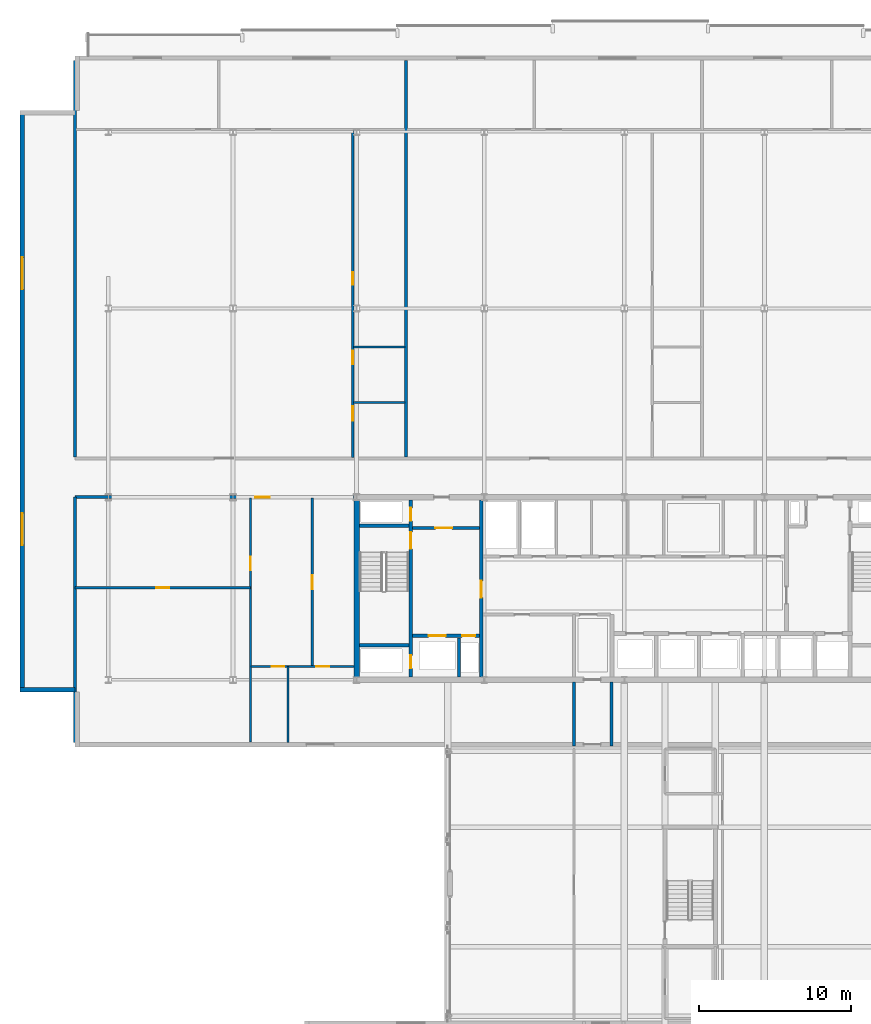
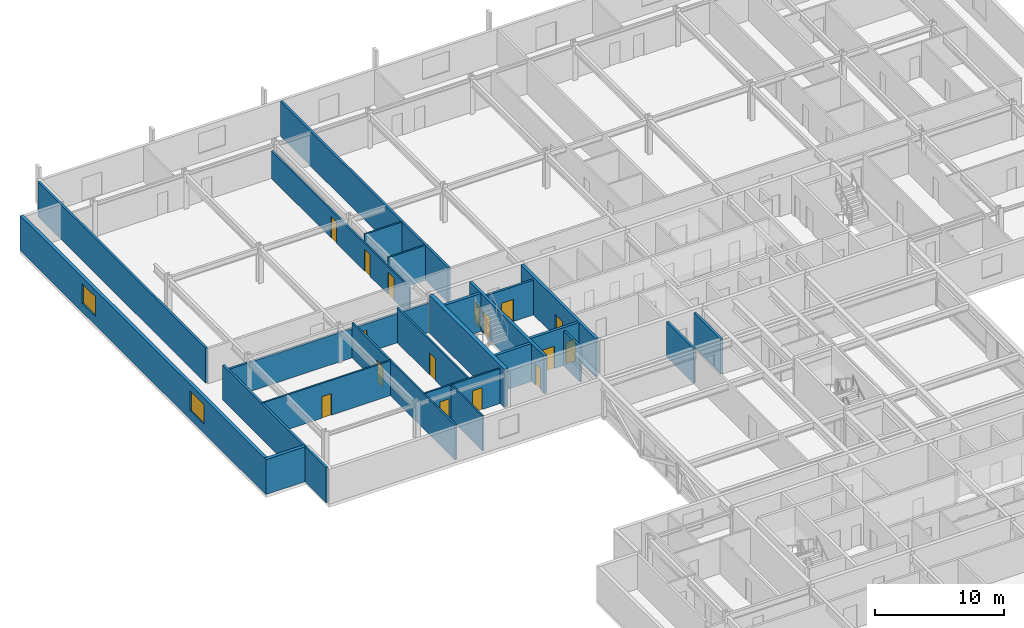
# One storey, part 23 of 35: 24 walls, 16 doors, 2 windows, 18 openings.
"""IFC4 building model written with IfcOpenShell, lengths in metres."""

from ifc_helpers import new_model, si_unit, direction, frame, frame_2d, origin, place, context, subcontext, project, spatial, rectangle, extrude, material, layer, layer_set, type_object, element, fill, save


model = new_model("IFC4")

# Units and contexts
model_context = context("Model", 3, precision=1e-05, world=origin(), true_north=direction((0.0, 1.0)))
body_context = subcontext(model_context, "Body", "Model", "MODEL_VIEW")
ifc_project = project(units=[si_unit("LENGTHUNIT", "METRE"), si_unit("AREAUNIT", "SQUARE_METRE"), si_unit("VOLUMEUNIT", "CUBIC_METRE"), si_unit("PLANEANGLEUNIT", "RADIAN"), si_unit("MASSUNIT", "GRAM", prefix="KILO")], contexts=[model_context])

# Site, building, storey
site_placement = place(None, origin())
site = spatial("IfcSite", under=ifc_project, at=site_placement, CompositionType="ELEMENT")
building_placement = place(site_placement, origin())
building = spatial("IfcBuilding", under=site, at=building_placement, Name="Korimba Cascade Residences", CompositionType="ELEMENT")
storey_placement = place(building_placement, frame((0.0, 0.0, 150.10009765625)))
storey = spatial("IfcBuildingStorey", under=building, at=storey_placement, Name="L43", CompositionType="ELEMENT", Elevation=150.10009765625)

# Wall, openings, windows
ifc_material_1 = material(Name="Precast concrete C40/50", Category="concrete")
ifc_layer_1 = layer(ifc_material_1, 0.300048828125)
ifc_layer_set_1 = layer_set([ifc_layer_1], Name="Precast concrete C40/50")
wall_type_1 = type_object("IfcWallType", Name="EW-STONE-300", PredefinedType="STANDARD", material=ifc_layer_set_1)
wall_1_placement = place(storey_placement, frame((54.14990234375, 92.60009765625, 0.0), z_axis=(0.0, 0.0, 1.0), x_axis=(0.0, -1.0, 0.0)))
wall_1 = element("IfcWall", 1, at=wall_1_placement, inside=storey, type_object=wall_type_1, Name="L43 T1 Perimeter Stone Wall E09", PredefinedType="STANDARD", context=body_context, shape_type="SweptSolid", body=[
    extrude(rectangle(XDim=38.2001953125, YDim=0.300048828125, at=frame_2d((19.10009765625, 0.0))), origin(), (0.0, 0.0, 1.0), 3.309814453125),
])
opening_1_placement = place(wall_1_placement, frame((9.64599609375, 0.0, 0.85009765625)))
opening_1 = element("IfcOpeningElement", 2, at=opening_1_placement, cuts=wall_1, Name="Opening W-03", PredefinedType="OPENING", context=body_context, shape_type="SweptSolid", body=[
    extrude(rectangle(XDim=2.10009765625, YDim=1.85009765625, at=frame_2d((1.050048828125, 0.925048828125))), frame((0.0, 0.16015625, 0.0), z_axis=(0.0, -1.0, 0.0), x_axis=(1.0, 0.0, 0.0)), (0.0, 0.0, 1.0), 0.320068359375),
])
opening_2_placement = place(wall_1_placement, frame((26.4541015625, 0.0, 0.85009765625)))
opening_2 = element("IfcOpeningElement", 3, at=opening_2_placement, cuts=wall_1, Name="Opening W-03", PredefinedType="OPENING", context=body_context, shape_type="SweptSolid", body=[
    extrude(rectangle(XDim=2.10009765625, YDim=1.85009765625, at=frame_2d((1.050048828125, 0.925048828125))), frame((0.0, 0.16015625, 0.0), z_axis=(0.0, -1.0, 0.0), x_axis=(1.0, 0.0, 0.0)), (0.0, 0.0, 1.0), 0.320068359375),
])
ifc_material_2 = material(Name="Double-Glazed Aluminium Window", Category="aluminium")
window_type = type_object("IfcWindowType", Name="WIN-CRN-2100", PartitioningType="DOUBLE_PANEL_HORIZONTAL", PredefinedType="WINDOW", material=ifc_material_2)
window_1_placement = place(opening_1_placement, origin())
window_1 = element("IfcWindow", 4, at=window_1_placement, inside=storey, type_object=window_type, Name="L43 T1 End View Window 9.1", OverallHeight=1.85009765625, OverallWidth=2.10009765625, PartitioningType="DOUBLE_PANEL_HORIZONTAL", PredefinedType="WINDOW", context=body_context, shape_type="SweptSolid", body=[
    extrude(rectangle(XDim=2.10009765625, YDim=1.85009765625, at=frame_2d((1.050048828125, 0.925048828125))), frame((0.0, 0.030029296875, 0.0), z_axis=(0.0, -1.0, 0.0), x_axis=(1.0, 0.0, 0.0)), (0.0, 0.0, 1.0), 0.06005859375),
])
fill(opening_1, window_1)
window_2_placement = place(opening_2_placement, origin())
window_2 = element("IfcWindow", 5, at=window_2_placement, inside=storey, type_object=window_type, Name="L43 T1 End View Window 9.2", OverallHeight=1.85009765625, OverallWidth=2.10009765625, PartitioningType="DOUBLE_PANEL_HORIZONTAL", PredefinedType="WINDOW", context=body_context, shape_type="SweptSolid", body=[
    extrude(rectangle(XDim=2.10009765625, YDim=1.85009765625, at=frame_2d((1.050048828125, 0.925048828125))), frame((0.0, 0.030029296875, 0.0), z_axis=(0.0, -1.0, 0.0), x_axis=(1.0, 0.0, 0.0)), (0.0, 0.0, 1.0), 0.06005859375),
])
fill(opening_2, window_2)

# Walls
wall_2_placement = place(storey_placement, frame((54.0, 54.550048828125, 0.0), z_axis=(0.0, 0.0, 1.0), x_axis=(1.0, 0.0, 0.0)))
element("IfcWall", 6, at=wall_2_placement, inside=storey, type_object=wall_type_1, Name="L43 T1 Perimeter Stone Wall E10", PredefinedType="STANDARD", context=body_context, shape_type="SweptSolid", body=[
    extrude(rectangle(XDim=3.60009765625, YDim=0.300048828125, at=frame_2d((1.800048828125, 0.0))), origin(), (0.0, 0.0, 1.0), 3.309814453125),
])
ifc_material_3 = material(Name="Concrete C65/80", Category="concrete")
ifc_layer_2 = layer(ifc_material_3, 0.35009765625)
ifc_layer_set_2 = layer_set([ifc_layer_2], Name="Concrete C65/80")
wall_type_2 = type_object("IfcWallType", Name="WAL-CORE-350", PredefinedType="SHEAR", material=ifc_layer_set_2)
wall_3_placement = place(storey_placement, frame((76.125, 55.375, 0.0), z_axis=(0.0, 0.0, 1.0), x_axis=(0.0, 1.0, 0.0)))
element("IfcWall", 7, at=wall_3_placement, inside=storey, type_object=wall_type_2, Name="L43 Core Shear Wall CW-L43-T1-W", PredefinedType="SHEAR", context=body_context, shape_type="SweptSolid", body=[
    extrude(rectangle(XDim=11.64990234375, YDim=0.35009765625, at=frame_2d((5.824951171875, 0.0))), origin(), (0.0, 0.0, 1.0), 3.599853515625),
])
ifc_layer_3 = layer(ifc_material_1, 0.199951171875)
ifc_layer_set_3 = layer_set([ifc_layer_3], Name="Precast concrete C40/50")
wall_type_3 = type_object("IfcWallType", Name="WAL-IT-200", PredefinedType="PARTITIONING", material=ifc_layer_set_3)
wall_4_placement = place(storey_placement, frame((57.60009765625, 51.10009765625, 0.0), z_axis=(0.0, 0.0, 1.0), x_axis=(0.0, 1.0, 0.0)))
element("IfcWall", 8, at=wall_4_placement, inside=storey, type_object=wall_type_3, Name="L43 Partition Wall WAL-L43-T1-FW-WL", PredefinedType="PARTITIONING", context=body_context, shape_type="SweptSolid", body=[
    extrude(rectangle(XDim=16.099853515625, YDim=0.199951171875, at=frame_2d((8.0498046875, 0.0))), origin(), (0.0, 0.0, 1.0), 3.309814453125),
])

# Wall, opening, door
wall_5_placement = place(storey_placement, frame((57.60009765625, 67.199951171875, 0.0), z_axis=(0.0, 0.0, 1.0), x_axis=(1.0, 0.0, 0.0)))
wall_5 = element("IfcWall", 9, at=wall_5_placement, inside=storey, type_object=wall_type_3, Name="L43 Partition Wall WAL-L43-T1-FW-N", PredefinedType="PARTITIONING", context=body_context, shape_type="SweptSolid", body=[
    extrude(rectangle(XDim=18.349853515625, YDim=0.199951171875, at=frame_2d((9.1748046875, 0.0))), origin(), (0.0, 0.0, 1.0), 2.773193359375),
])
opening_3_placement = place(wall_5_placement, frame((11.8701171875, 0.0, 0.0)))
opening_3 = element("IfcOpeningElement", 10, at=opening_3_placement, cuts=wall_5, Name="Opening D-UN1", PredefinedType="OPENING", context=body_context, shape_type="SweptSolid", body=[
    extrude(rectangle(XDim=0.949951171875, YDim=2.14990234375, at=frame_2d((0.47509765625, 1.074951171875))), frame((0.0, 0.10986328125, 0.0), z_axis=(0.0, -1.0, 0.0), x_axis=(1.0, 0.0, 0.0)), (0.0, 0.0, 1.0), 0.219970703125),
])
ifc_material_4 = material(Name="Fire-Rated Hardwood Apartment Entrance Door", Category="wood")
door_type_1 = type_object("IfcDoorType", Name="DR-FD60-950", OperationType="NOTDEFINED", PredefinedType="DOOR", material=ifc_material_4)
door_1_placement = place(opening_3_placement, origin())
door_1 = element("IfcDoor", 11, at=door_1_placement, inside=storey, type_object=door_type_1, Name="L43-T1-FW Entrance Door", OperationType="SINGLE_SWING_LEFT", OverallHeight=2.14990234375, OverallWidth=0.949951171875, PredefinedType="DOOR", context=body_context, shape_type="SweptSolid", body=[
    extrude(rectangle(XDim=0.949951171875, YDim=2.14990234375, at=frame_2d((0.47509765625, 1.074951171875))), frame((0.0, 0.02490234375, 0.0), z_axis=(0.0, -1.0, 0.0), x_axis=(1.0, 0.0, 0.0)), (0.0, 0.0, 1.0), 0.050048828125),
])
fill(opening_3, door_1)

# Walls
for number, where, z_axis, x_axis, name in (
    (12, (57.60009765625, 69.830078125, 0.0), (0.0, 0.0, 1.0), (0.0, 1.0, 0.0), "L43 Partition Wall WAL-L43-T1-BNDWL"),
    (13, (79.357177734375, 69.830078125, 0.0), (0.0, 0.0, 1.0), (0.0, 1.0, 0.0), "L43 Partition Wall WAL-L43-T1-DEM-1"),
):
    element("IfcWall", number, at=place(storey_placement, frame(where, z_axis=z_axis, x_axis=x_axis)), inside=storey, type_object=wall_type_3, Name=name, PredefinedType="PARTITIONING", context=body_context, shape_type="SweptSolid", body=[
        extrude(rectangle(XDim=26.06982421875, YDim=0.199951171875, at=frame_2d((13.034912109375, 0.0))), origin(), (0.0, 0.0, 1.0), 3.309814453125),
    ])

# Wall, opening, door
ifc_material_5 = material(Name="Insulated Acoustic Stud Partition", Category="gypsum")
ifc_layer_4 = layer(ifc_material_5, 0.14990234375)
ifc_layer_set_4 = layer_set([ifc_layer_4], Name="Insulated Acoustic Stud Partition")
wall_type_4 = type_object("IfcWallType", Name="WAL-PART-150", PredefinedType="PARTITIONING", material=ifc_layer_set_4)
wall_6_placement = place(storey_placement, frame((57.60009765625, 61.25, 0.0), z_axis=(0.0, 0.0, 1.0), x_axis=(1.0, 0.0, 0.0)))
wall_6 = element("IfcWall", 14, at=wall_6_placement, inside=storey, type_object=wall_type_4, Name="L43 Partition Wall WAL-L43-T1-FW-STH", PredefinedType="PARTITIONING", context=body_context, shape_type="SweptSolid", body=[
    extrude(rectangle(XDim=11.5498046875, YDim=0.14990234375, at=frame_2d((5.77490234375, 0.0))), origin(), (0.0, 0.0, 1.0), 3.309814453125),
])
opening_4_placement = place(wall_6_placement, frame((5.35498046875, 0.0, 0.0)))
opening_4 = element("IfcOpeningElement", 15, at=opening_4_placement, cuts=wall_6, Name="Opening D-BT1", PredefinedType="OPENING", context=body_context, shape_type="SweptSolid", body=[
    extrude(rectangle(XDim=0.840087890625, YDim=2.0400390625, at=frame_2d((0.419921875, 1.02001953125))), frame((0.0, 0.0849609375, 0.0), z_axis=(0.0, -1.0, 0.0), x_axis=(1.0, 0.0, 0.0)), (0.0, 0.0, 1.0), 0.169921875),
])
ifc_material_6 = material(Name="Moisture-Resistant Bathroom Timber Door", Category="wood")
door_type_2 = type_object("IfcDoorType", Name="DR-INT-850", OperationType="NOTDEFINED", PredefinedType="DOOR", material=ifc_material_6)
door_2_placement = place(opening_4_placement, origin())
door_2 = element("IfcDoor", 16, at=door_2_placement, inside=storey, type_object=door_type_2, Name="L43-T1-FW Dressing Store Door", OperationType="SINGLE_SWING_RIGHT", OverallHeight=2.0400390625, OverallWidth=0.840087890625, PredefinedType="DOOR", context=body_context, shape_type="SweptSolid", body=[
    extrude(rectangle(XDim=0.840087890625, YDim=2.0400390625, at=frame_2d((0.419921875, 1.02001953125))), frame((0.0, 0.02490234375, 0.0), z_axis=(0.0, -1.0, 0.0), x_axis=(1.0, 0.0, 0.0)), (0.0, 0.0, 1.0), 0.050048828125),
])
fill(opening_4, door_2)

wall_7_placement = place(storey_placement, frame((69.14990234375, 51.10009765625, 0.0), z_axis=(0.0, 0.0, 1.0), x_axis=(0.0, 1.0, 0.0)))
wall_7 = element("IfcWall", 17, at=wall_7_placement, inside=storey, type_object=wall_type_4, Name="L43 Partition Wall WAL-L43-T1-FW-STV", PredefinedType="PARTITIONING", context=body_context, shape_type="SweptSolid", body=[
    extrude(rectangle(XDim=16.0498046875, YDim=0.14990234375, at=frame_2d((8.02490234375, 0.0))), origin(), (0.0, 0.0, 1.0), 3.309814453125),
])
opening_5_placement = place(wall_7_placement, frame((11.300048828125, 0.0, 0.0)))
opening_5 = element("IfcOpeningElement", 18, at=opening_5_placement, cuts=wall_7, Name="Opening D-IN2", PredefinedType="OPENING", context=body_context, shape_type="SweptSolid", body=[
    extrude(rectangle(XDim=0.8798828125, YDim=2.06005859375, at=frame_2d((0.43994140625, 1.030029296875))), frame((0.0, 0.0849609375, 0.0), z_axis=(0.0, -1.0, 0.0), x_axis=(1.0, 0.0, 0.0)), (0.0, 0.0, 1.0), 0.169921875),
])
ifc_material_7 = material(Name="Acoustic Timber Bedroom Door", Category="wood")
door_type_3 = type_object("IfcDoorType", Name="DR-INT-880", OperationType="NOTDEFINED", PredefinedType="DOOR", material=ifc_material_7)
door_3_placement = place(opening_5_placement, origin())
door_3 = element("IfcDoor", 19, at=door_3_placement, inside=storey, type_object=door_type_3, Name="L43-T1-FW Study Door", OperationType="SINGLE_SWING_LEFT", OverallHeight=2.06005859375, OverallWidth=0.8798828125, PredefinedType="DOOR", context=body_context, shape_type="SweptSolid", body=[
    extrude(rectangle(XDim=0.8798828125, YDim=2.06005859375, at=frame_2d((0.43994140625, 1.030029296875))), frame((0.0, 0.02490234375, 0.0), z_axis=(0.0, -1.0, 0.0), x_axis=(1.0, 0.0, 0.0)), (0.0, 0.0, 1.0), 0.050048828125),
])
fill(opening_5, door_3)

wall_8_placement = place(storey_placement, frame((73.199951171875, 56.070068359375, 0.0), z_axis=(0.0, 0.0, 1.0), x_axis=(0.0, 1.0, 0.0)))
wall_8 = element("IfcWall", 20, at=wall_8_placement, inside=storey, type_object=wall_type_4, Name="L43 Partition Wall WAL-L43-T1-FW-VN", PredefinedType="PARTITIONING", context=body_context, shape_type="SweptSolid", body=[
    extrude(rectangle(XDim=11.079833984375, YDim=0.14990234375, at=frame_2d((5.5400390625, 0.0))), origin(), (0.0, 0.0, 1.0), 3.309814453125),
])
opening_6_placement = place(wall_8_placement, frame((5.080078125, 0.0, 0.0)))
opening_6 = element("IfcOpeningElement", 21, at=opening_6_placement, cuts=wall_8, Name="Opening D-IN1", PredefinedType="OPENING", context=body_context, shape_type="SweptSolid", body=[
    extrude(rectangle(XDim=0.919921875, YDim=2.080078125, at=frame_2d((0.4599609375, 1.0400390625))), frame((0.0, 0.0849609375, 0.0), z_axis=(0.0, -1.0, 0.0), x_axis=(1.0, 0.0, 0.0)), (0.0, 0.0, 1.0), 0.169921875),
])
ifc_material_8 = material(Name="Acoustic Timber Living Door", Category="wood")
door_type_4 = type_object("IfcDoorType", Name="DR-INT-920", OperationType="NOTDEFINED", PredefinedType="DOOR", material=ifc_material_8)
door_4_placement = place(opening_6_placement, origin())
door_4 = element("IfcDoor", 22, at=door_4_placement, inside=storey, type_object=door_type_4, Name="L43-T1-FW Living Door", OperationType="SINGLE_SWING_RIGHT", OverallHeight=2.080078125, OverallWidth=0.919921875, PredefinedType="DOOR", context=body_context, shape_type="SweptSolid", body=[
    extrude(rectangle(XDim=0.919921875, YDim=2.080078125, at=frame_2d((0.4599609375, 1.0400390625))), frame((0.0, 0.02490234375, 0.0), z_axis=(0.0, -1.0, 0.0), x_axis=(1.0, 0.0, 0.0)), (0.0, 0.0, 1.0), 0.050048828125),
])
fill(opening_6, door_4)

# Wall
wall_9_placement = place(storey_placement, frame((71.60009765625, 51.10009765625, 0.0), z_axis=(0.0, 0.0, 1.0), x_axis=(0.0, 1.0, 0.0)))
element("IfcWall", 23, at=wall_9_placement, inside=storey, type_object=wall_type_4, Name="L43 Partition Wall WAL-L43-T1-FW-VS", PredefinedType="PARTITIONING", context=body_context, shape_type="SweptSolid", body=[
    extrude(rectangle(XDim=4.969970703125, YDim=0.14990234375, at=frame_2d((2.48486328125, 0.0))), origin(), (0.0, 0.0, 1.0), 3.309814453125),
])

# Wall, openings, doors
wall_10_placement = place(storey_placement, frame((69.169921875, 56.070068359375, 0.0), z_axis=(0.0, 0.0, 1.0), x_axis=(1.0, 0.0, 0.0)))
wall_10 = element("IfcWall", 24, at=wall_10_placement, inside=storey, type_object=wall_type_4, Name="L43 Partition Wall WAL-L43-T1-FW-H", PredefinedType="PARTITIONING", context=body_context, shape_type="SweptSolid", body=[
    extrude(rectangle(XDim=6.760009765625, YDim=0.14990234375, at=frame_2d((3.3798828125, 0.0))), origin(), (0.0, 0.0, 1.0), 3.309814453125),
])
opening_7_placement = place(wall_10_placement, frame((1.3623046875, 0.0, 0.0)))
opening_7 = element("IfcOpeningElement", 25, at=opening_7_placement, cuts=wall_10, Name="Opening D-BT1", PredefinedType="OPENING", context=body_context, shape_type="SweptSolid", body=[
    extrude(rectangle(XDim=0.840087890625, YDim=2.0400390625, at=frame_2d((0.419921875, 1.02001953125))), frame((0.0, 0.0849609375, 0.0), z_axis=(0.0, -1.0, 0.0), x_axis=(1.0, 0.0, 0.0)), (0.0, 0.0, 1.0), 0.169921875),
])
opening_8_placement = place(wall_10_placement, frame((4.276611328125, 0.0, 0.0)))
opening_8 = element("IfcOpeningElement", 26, at=opening_8_placement, cuts=wall_10, Name="Opening D-IN2", PredefinedType="OPENING", context=body_context, shape_type="SweptSolid", body=[
    extrude(rectangle(XDim=0.8798828125, YDim=2.06005859375, at=frame_2d((0.43994140625, 1.030029296875))), frame((0.0, 0.0849609375, 0.0), z_axis=(0.0, -1.0, 0.0), x_axis=(1.0, 0.0, 0.0)), (0.0, 0.0, 1.0), 0.169921875),
])
door_5_placement = place(opening_7_placement, origin())
door_5 = element("IfcDoor", 27, at=door_5_placement, inside=storey, type_object=door_type_2, Name="L43-T1-FW Bathroom Door", OperationType="SINGLE_SWING_LEFT", OverallHeight=2.0400390625, OverallWidth=0.840087890625, PredefinedType="DOOR", context=body_context, shape_type="SweptSolid", body=[
    extrude(rectangle(XDim=0.840087890625, YDim=2.0400390625, at=frame_2d((0.419921875, 1.02001953125))), frame((0.0, 0.02490234375, 0.0), z_axis=(0.0, -1.0, 0.0), x_axis=(1.0, 0.0, 0.0)), (0.0, 0.0, 1.0), 0.050048828125),
])
fill(opening_7, door_5)
door_6_placement = place(opening_8_placement, origin())
door_6 = element("IfcDoor", 28, at=door_6_placement, inside=storey, type_object=door_type_3, Name="L43-T1-FW Bedroom Door", OperationType="SINGLE_SWING_RIGHT", OverallHeight=2.06005859375, OverallWidth=0.8798828125, PredefinedType="DOOR", context=body_context, shape_type="SweptSolid", body=[
    extrude(rectangle(XDim=0.8798828125, YDim=2.06005859375, at=frame_2d((0.43994140625, 1.030029296875))), frame((0.0, 0.02490234375, 0.0), z_axis=(0.0, -1.0, 0.0), x_axis=(1.0, 0.0, 0.0)), (0.0, 0.0, 1.0), 0.050048828125),
])
fill(opening_8, door_6)

# Walls
for number, where, z_axis, x_axis, name in (
    (29, (75.9169921875, 73.419921875, 0.0), (0.0, 0.0, 1.0), (1.0, 0.0, 0.0), "L43 Partition Wall WAL-L43-T1-U01-WCH"),
    (30, (75.9169921875, 77.070068359375, 0.0), (0.0, 0.0, 1.0), (1.0, 0.0, 0.0), "L43 Partition Wall WAL-L43-T1-U01-WCH2"),
):
    element("IfcWall", number, at=place(storey_placement, frame(where, z_axis=z_axis, x_axis=x_axis)), inside=storey, type_object=wall_type_4, Name=name, PredefinedType="PARTITIONING", context=body_context, shape_type="SweptSolid", body=[
        extrude(rectangle(XDim=3.360107421875, YDim=0.14990234375, at=frame_2d((1.68017578125, 0.0))), origin(), (0.0, 0.0, 1.0), 3.309814453125),
    ])

# Wall, openings, doors
wall_11_placement = place(storey_placement, frame((75.857177734375, 69.81005859375, 0.0), z_axis=(0.0, 0.0, 1.0), x_axis=(0.0, 1.0, 0.0)))
wall_11 = element("IfcWall", 31, at=wall_11_placement, inside=storey, type_object=wall_type_4, Name="L43 Partition Wall WAL-L43-T1-U01-WCV", PredefinedType="PARTITIONING", context=body_context, shape_type="SweptSolid", body=[
    extrude(rectangle(XDim=21.47998046875, YDim=0.14990234375, at=frame_2d((10.739990234375, 0.0))), origin(), (0.0, 0.0, 1.0), 2.616943359375),
])
opening_9_placement = place(wall_11_placement, frame((2.406005859375, 0.0, 0.0)))
opening_9 = element("IfcOpeningElement", 32, at=opening_9_placement, cuts=wall_11, Name="Opening D-AC1", PredefinedType="OPENING", context=body_context, shape_type="SweptSolid", body=[
    extrude(rectangle(XDim=0.9599609375, YDim=2.10009765625, at=frame_2d((0.47998046875, 1.050048828125))), frame((0.0, 0.0849609375, 0.0), z_axis=(0.0, -1.0, 0.0), x_axis=(1.0, 0.0, 0.0)), (0.0, 0.0, 1.0), 0.169921875),
])
opening_10_placement = place(wall_11_placement, frame((6.132568359375, 0.0, 0.0)))
opening_10 = element("IfcOpeningElement", 33, at=opening_10_placement, cuts=wall_11, Name="Opening D-IN2", PredefinedType="OPENING", context=body_context, shape_type="SweptSolid", body=[
    extrude(rectangle(XDim=0.8798828125, YDim=2.06005859375, at=frame_2d((0.43994140625, 1.030029296875))), frame((0.0, 0.0849609375, 0.0), z_axis=(0.0, -1.0, 0.0), x_axis=(1.0, 0.0, 0.0)), (0.0, 0.0, 1.0), 0.169921875),
])
opening_11_placement = place(wall_11_placement, frame((11.3359375, 0.0, 0.0)))
opening_11 = element("IfcOpeningElement", 34, at=opening_11_placement, cuts=wall_11, Name="Opening D-BT1", PredefinedType="OPENING", context=body_context, shape_type="SweptSolid", body=[
    extrude(rectangle(XDim=0.840087890625, YDim=2.0400390625, at=frame_2d((0.419921875, 1.02001953125))), frame((0.0, 0.0849609375, 0.0), z_axis=(0.0, -1.0, 0.0), x_axis=(1.0, 0.0, 0.0)), (0.0, 0.0, 1.0), 0.169921875),
])
ifc_material_9 = material(Name="Accessible Acoustic Timber WC Door", Category="wood")
door_type_5 = type_object("IfcDoorType", Name="DR-ACC-950", OperationType="NOTDEFINED", PredefinedType="DOOR", material=ifc_material_9)
door_7_placement = place(opening_9_placement, origin())
door_7 = element("IfcDoor", 35, at=door_7_placement, inside=storey, type_object=door_type_5, Name="L43-T1-U01 Accessible WC Door", OperationType="SINGLE_SWING_RIGHT", OverallHeight=2.10009765625, OverallWidth=0.9599609375, PredefinedType="DOOR", context=body_context, shape_type="SweptSolid", body=[
    extrude(rectangle(XDim=0.9599609375, YDim=2.10009765625, at=frame_2d((0.47998046875, 1.050048828125))), frame((0.0, 0.02490234375, 0.0), z_axis=(0.0, -1.0, 0.0), x_axis=(1.0, 0.0, 0.0)), (0.0, 0.0, 1.0), 0.050048828125),
])
fill(opening_9, door_7)
door_8_placement = place(opening_11_placement, origin())
door_8 = element("IfcDoor", 36, at=door_8_placement, inside=storey, type_object=door_type_2, Name="L43-T1-U01 Suite Store Door", OperationType="SINGLE_SWING_RIGHT", OverallHeight=2.0400390625, OverallWidth=0.840087890625, PredefinedType="DOOR", context=body_context, shape_type="SweptSolid", body=[
    extrude(rectangle(XDim=0.840087890625, YDim=2.0400390625, at=frame_2d((0.419921875, 1.02001953125))), frame((0.0, 0.02490234375, 0.0), z_axis=(0.0, -1.0, 0.0), x_axis=(1.0, 0.0, 0.0)), (0.0, 0.0, 1.0), 0.050048828125),
])
fill(opening_11, door_8)
door_9_placement = place(opening_10_placement, origin())
door_9 = element("IfcDoor", 37, at=door_9_placement, inside=storey, type_object=door_type_3, Name="L43-T1-U01 Restroom WC Door", OperationType="SINGLE_SWING_LEFT", OverallHeight=2.06005859375, OverallWidth=0.8798828125, PredefinedType="DOOR", context=body_context, shape_type="SweptSolid", body=[
    extrude(rectangle(XDim=0.8798828125, YDim=2.06005859375, at=frame_2d((0.43994140625, 1.030029296875))), frame((0.0, 0.02490234375, 0.0), z_axis=(0.0, -1.0, 0.0), x_axis=(1.0, 0.0, 0.0)), (0.0, 0.0, 1.0), 0.050048828125),
])
fill(opening_10, door_9)

# Wall
ifc_material_10 = material(Name="Concrete C40/50", Category="concrete")
ifc_layer_5 = layer(ifc_material_10, 0.199951171875)
ifc_layer_set_5 = layer_set([ifc_layer_5], Name="Concrete C40/50")
wall_type_5 = type_object("IfcWallType", Name="WAL-PART-200", PredefinedType="PARTITIONING", material=ifc_layer_set_5)
wall_12_placement = place(storey_placement, frame((82.85009765625, 55.39990234375, 0.0), z_axis=(0.0, 0.0, 1.0), x_axis=(0.0, 1.0, 0.0)))
element("IfcWall", 38, at=wall_12_placement, inside=storey, type_object=wall_type_5, Name="L43 Partition Wall CW-L43-T1-FFLDIV", PredefinedType="PARTITIONING", context=body_context, shape_type="SweptSolid", body=[
    extrude(rectangle(XDim=2.56005859375, YDim=0.199951171875, at=frame_2d((1.280029296875, 0.0))), origin(), (0.0, 0.0, 1.0), 3.309814453125),
])

# Wall, opening, door
wall_13_placement = place(storey_placement, frame((79.7900390625, 65.179931640625, 0.0), z_axis=(0.0, 0.0, 1.0), x_axis=(1.0, 0.0, 0.0)))
wall_13 = element("IfcWall", 39, at=wall_13_placement, inside=storey, type_object=wall_type_5, Name="L43 Partition Wall CW-L43-T1-FFLN", PredefinedType="PARTITIONING", context=body_context, shape_type="SweptSolid", body=[
    extrude(rectangle(XDim=4.389892578125, YDim=0.199951171875, at=frame_2d((2.19482421875, 0.0))), origin(), (0.0, 0.0, 1.0), 3.309814453125),
])
opening_12_placement = place(wall_13_placement, frame((1.5, 0.0, 0.0)))
opening_12 = element("IfcOpeningElement", 40, at=opening_12_placement, cuts=wall_13, Name="Opening D-FD1", PredefinedType="OPENING", context=body_context, shape_type="SweptSolid", body=[
    extrude(rectangle(XDim=1.10009765625, YDim=2.10009765625, at=frame_2d((0.550048828125, 1.050048828125))), frame((0.0, 0.10986328125, 0.0), z_axis=(0.0, -1.0, 0.0), x_axis=(1.0, 0.0, 0.0)), (0.0, 0.0, 1.0), 0.219970703125),
])
ifc_material_11 = material(Name="Fire-Rated Steel Core Door", Category="steel")
door_type_6 = type_object("IfcDoorType", Name="DR-FD120-1100", OperationType="NOTDEFINED", PredefinedType="DOOR", material=ifc_material_11)
door_10_placement = place(opening_12_placement, origin())
door_10 = element("IfcDoor", 41, at=door_10_placement, inside=storey, type_object=door_type_6, Name="L43 West Firefighting Lobby Door", OperationType="SINGLE_SWING_LEFT", OverallHeight=2.10009765625, OverallWidth=1.10009765625, PredefinedType="DOOR", context=body_context, shape_type="SweptSolid", body=[
    extrude(rectangle(XDim=1.10009765625, YDim=2.10009765625, at=frame_2d((0.550048828125, 1.050048828125))), frame((0.0, 0.02490234375, 0.0), z_axis=(0.0, -1.0, 0.0), x_axis=(1.0, 0.0, 0.0)), (0.0, 0.0, 1.0), 0.050048828125),
])
fill(opening_12, door_10)

# Walls
for number, where, z_axis, x_axis, name in (
    (42, (90.39990234375, 50.85009765625, 0.0), (0.0, 0.0, 1.0), (0.0, 1.0, 0.0), "L43 Partition Wall WAL-L43-T1-SBRGW"),
    (43, (92.85009765625, 50.85009765625, 0.0), (0.0, 0.0, 1.0), (0.0, 1.0, 0.0), "L43 Partition Wall WAL-L43-T1-SBRGE"),
):
    element("IfcWall", number, at=place(storey_placement, frame(where, z_axis=z_axis, x_axis=x_axis)), inside=storey, type_object=wall_type_5, Name=name, PredefinedType="PARTITIONING", context=body_context, shape_type="SweptSolid", body=[
        extrude(rectangle(XDim=4.199951171875, YDim=0.199951171875, at=frame_2d((2.10009765625, 0.0))), origin(), (0.0, 0.0, 1.0), 3.309814453125),
    ])

# Wall, openings, doors
ifc_material_12 = material(Name="Concrete C50/60", Category="concrete")
ifc_layer_6 = layer(ifc_material_12, 0.25)
ifc_layer_set_6 = layer_set([ifc_layer_6], Name="Concrete C50/60")
wall_type_6 = type_object("IfcWallType", Name="WAL-SHAFT-250", PredefinedType="SHEAR", material=ifc_layer_set_6)
wall_14_placement = place(storey_placement, frame((79.6650390625, 55.39990234375, 0.0), z_axis=(0.0, 0.0, 1.0), x_axis=(0.0, 1.0, 0.0)))
wall_14 = element("IfcWall", 44, at=wall_14_placement, inside=storey, type_object=wall_type_6, Name="L43 Core Shear Wall CW-L43-T1-STW1E", PredefinedType="SHEAR", context=body_context, shape_type="SweptSolid", body=[
    extrude(rectangle(XDim=11.60009765625, YDim=0.25, at=frame_2d((5.800048828125, 0.0))), origin(), (0.0, 0.0, 1.0), 3.599853515625),
])
opening_13_placement = place(wall_14_placement, frame((0.550048828125, 0.0, 0.0)))
opening_13 = element("IfcOpeningElement", 45, at=opening_13_placement, cuts=wall_14, Name="Opening D-RS1", PredefinedType="OPENING", context=body_context, shape_type="SweptSolid", body=[
    extrude(rectangle(XDim=0.85009765625, YDim=2.050048828125, at=frame_2d((0.425048828125, 1.02490234375))), frame((0.0, 0.135009765625, 0.0), z_axis=(0.0, -1.0, 0.0), x_axis=(1.0, 0.0, 0.0)), (0.0, 0.0, 1.0), 0.27001953125),
])
opening_14_placement = place(wall_14_placement, frame((8.39990234375, 0.0, 0.0)))
opening_14 = element("IfcOpeningElement", 46, at=opening_14_placement, cuts=wall_14, Name="Opening D-FD1", PredefinedType="OPENING", context=body_context, shape_type="SweptSolid", body=[
    extrude(rectangle(XDim=1.10009765625, YDim=2.10009765625, at=frame_2d((0.550048828125, 1.050048828125))), frame((0.0, 0.135009765625, 0.0), z_axis=(0.0, -1.0, 0.0), x_axis=(1.0, 0.0, 0.0)), (0.0, 0.0, 1.0), 0.27001953125),
])
opening_15_placement = place(wall_14_placement, frame((10.25, 0.0, 0.0)))
opening_15 = element("IfcOpeningElement", 47, at=opening_15_placement, cuts=wall_14, Name="Opening D-RS1", PredefinedType="OPENING", context=body_context, shape_type="SweptSolid", body=[
    extrude(rectangle(XDim=0.85009765625, YDim=2.050048828125, at=frame_2d((0.425048828125, 1.02490234375))), frame((0.0, 0.135009765625, 0.0), z_axis=(0.0, -1.0, 0.0), x_axis=(1.0, 0.0, 0.0)), (0.0, 0.0, 1.0), 0.27001953125),
])
door_11_placement = place(opening_14_placement, origin())
door_11 = element("IfcDoor", 48, at=door_11_placement, inside=storey, type_object=door_type_6, Name="L43 Fire Stair ST-W1 Door", OperationType="SINGLE_SWING_RIGHT", OverallHeight=2.10009765625, OverallWidth=1.10009765625, PredefinedType="DOOR", context=body_context, shape_type="SweptSolid", body=[
    extrude(rectangle(XDim=1.10009765625, YDim=2.10009765625, at=frame_2d((0.550048828125, 1.050048828125))), frame((0.0, 0.02490234375, 0.0), z_axis=(0.0, -1.0, 0.0), x_axis=(1.0, 0.0, 0.0)), (0.0, 0.0, 1.0), 0.050048828125),
])
fill(opening_14, door_11)
ifc_material_13 = material(Name="Fire-Rated Steel Riser Access Door", Category="steel")
door_type_7 = type_object("IfcDoorType", Name="DR-FD60-850", OperationType="NOTDEFINED", PredefinedType="DOOR", material=ifc_material_13)
door_12_placement = place(opening_13_placement, origin())
door_12 = element("IfcDoor", 49, at=door_12_placement, inside=storey, type_object=door_type_7, Name="L43 Smoke Riser Access Door", OperationType="SINGLE_SWING_LEFT", OverallHeight=2.050048828125, OverallWidth=0.85009765625, PredefinedType="DOOR", context=body_context, shape_type="SweptSolid", body=[
    extrude(rectangle(XDim=0.85009765625, YDim=2.050048828125, at=frame_2d((0.425048828125, 1.02490234375))), frame((0.0, 0.02490234375, 0.0), z_axis=(0.0, -1.0, 0.0), x_axis=(1.0, 0.0, 0.0)), (0.0, 0.0, 1.0), 0.050048828125),
])
fill(opening_13, door_12)
door_13_placement = place(opening_15_placement, origin())
door_13 = element("IfcDoor", 50, at=door_13_placement, inside=storey, type_object=door_type_7, Name="L43 Hydrant Riser Access Door", OperationType="SINGLE_SWING_LEFT", OverallHeight=2.050048828125, OverallWidth=0.85009765625, PredefinedType="DOOR", context=body_context, shape_type="SweptSolid", body=[
    extrude(rectangle(XDim=0.85009765625, YDim=2.050048828125, at=frame_2d((0.425048828125, 1.02490234375))), frame((0.0, 0.02490234375, 0.0), z_axis=(0.0, -1.0, 0.0), x_axis=(1.0, 0.0, 0.0)), (0.0, 0.0, 1.0), 0.050048828125),
])
fill(opening_15, door_13)

# Walls
for number, where, z_axis, x_axis, name in (
    (51, (76.300048828125, 57.47509765625, 0.0), (0.0, 0.0, 1.0), (1.0, 0.0, 0.0), "L43 Core Shear Wall CW-L43-T1-STW1S"),
    (52, (76.300048828125, 65.324951171875, 0.0), (0.0, 0.0, 1.0), (1.0, 0.0, 0.0), "L43 Core Shear Wall CW-L43-T1-STW1N"),
):
    element("IfcWall", number, at=place(storey_placement, frame(where, z_axis=z_axis, x_axis=x_axis)), inside=storey, type_object=wall_type_6, Name=name, PredefinedType="SHEAR", context=body_context, shape_type="SweptSolid", body=[
        extrude(rectangle(XDim=3.239990234375, YDim=0.25, at=frame_2d((1.6201171875, 0.0))), origin(), (0.0, 0.0, 1.0), 3.599853515625),
    ])

# Wall, openings, doors
wall_15_placement = place(storey_placement, frame((79.7900390625, 58.10009765625, 0.0), z_axis=(0.0, 0.0, 1.0), x_axis=(1.0, 0.0, 0.0)))
wall_15 = element("IfcWall", 53, at=wall_15_placement, inside=storey, type_object=wall_type_6, Name="L43 Core Shear Wall CW-L43-T1-FFLS", PredefinedType="SHEAR", context=body_context, shape_type="SweptSolid", body=[
    extrude(rectangle(XDim=4.389892578125, YDim=0.25, at=frame_2d((2.19482421875, 0.0))), origin(), (0.0, 0.0, 1.0), 3.599853515625),
])
opening_16_placement = place(wall_15_placement, frame((1.050048828125, 0.0, 0.0)))
opening_16 = element("IfcOpeningElement", 54, at=opening_16_placement, cuts=wall_15, Name="Opening LD-01", PredefinedType="OPENING", context=body_context, shape_type="SweptSolid", body=[
    extrude(rectangle(XDim=1.1201171875, YDim=2.1201171875, at=frame_2d((0.56005859375, 1.06005859375))), frame((0.0, 0.135009765625, 0.0), z_axis=(0.0, -1.0, 0.0), x_axis=(1.0, 0.0, 0.0)), (0.0, 0.0, 1.0), 0.27001953125),
])
opening_17_placement = place(wall_15_placement, frame((3.260009765625, 0.0, 0.0)))
opening_17 = element("IfcOpeningElement", 55, at=opening_17_placement, cuts=wall_15, Name="Opening D-RS1", PredefinedType="OPENING", context=body_context, shape_type="SweptSolid", body=[
    extrude(rectangle(XDim=0.85009765625, YDim=2.050048828125, at=frame_2d((0.425048828125, 1.02490234375))), frame((0.0, 0.135009765625, 0.0), z_axis=(0.0, -1.0, 0.0), x_axis=(1.0, 0.0, 0.0)), (0.0, 0.0, 1.0), 0.27001953125),
])
door_14_placement = place(opening_17_placement, origin())
door_14 = element("IfcDoor", 56, at=door_14_placement, inside=storey, type_object=door_type_7, Name="L43 Pressurisation Riser Door", OperationType="SINGLE_SWING_RIGHT", OverallHeight=2.050048828125, OverallWidth=0.85009765625, PredefinedType="DOOR", context=body_context, shape_type="SweptSolid", body=[
    extrude(rectangle(XDim=0.85009765625, YDim=2.050048828125, at=frame_2d((0.425048828125, 1.02490234375))), frame((0.0, 0.02490234375, 0.0), z_axis=(0.0, -1.0, 0.0), x_axis=(1.0, 0.0, 0.0)), (0.0, 0.0, 1.0), 0.050048828125),
])
fill(opening_17, door_14)
ifc_material_14 = material(Name="Stainless Steel Lift Landing Sliding Door", Category="steel")
door_type_8 = type_object("IfcDoorType", Name="DR-LIFT-1100", OperationType="NOTDEFINED", PredefinedType="DOOR", material=ifc_material_14)
door_15_placement = place(opening_16_placement, origin())
door_15 = element("IfcDoor", 57, at=door_15_placement, inside=storey, type_object=door_type_8, Name="L43 Firefighting Lift Landing Door FFL-W1", OperationType="SLIDING_TO_LEFT", OverallHeight=2.1201171875, OverallWidth=1.1201171875, PredefinedType="DOOR", context=body_context, shape_type="SweptSolid", body=[
    extrude(rectangle(XDim=1.1201171875, YDim=2.1201171875, at=frame_2d((0.56005859375, 1.06005859375))), frame((0.0, 0.02490234375, 0.0), z_axis=(0.0, -1.0, 0.0), x_axis=(1.0, 0.0, 0.0)), (0.0, 0.0, 1.0), 0.050048828125),
])
fill(opening_16, door_15)

# Wall, opening, door
wall_16_placement = place(storey_placement, frame((84.300048828125, 55.39990234375, 0.0), z_axis=(0.0, 0.0, 1.0), x_axis=(0.0, 1.0, 0.0)))
wall_16 = element("IfcWall", 58, at=wall_16_placement, inside=storey, type_object=wall_type_6, Name="L43 Core Shear Wall CW-L43-T1-FFLE", PredefinedType="SHEAR", context=body_context, shape_type="SweptSolid", body=[
    extrude(rectangle(XDim=11.60009765625, YDim=0.25, at=frame_2d((5.800048828125, 0.0))), origin(), (0.0, 0.0, 1.0), 3.599853515625),
])
opening_18_placement = place(wall_16_placement, frame((5.199951171875, 0.0, 0.0)))
opening_18 = element("IfcOpeningElement", 59, at=opening_18_placement, cuts=wall_16, Name="Opening D-FD1", PredefinedType="OPENING", context=body_context, shape_type="SweptSolid", body=[
    extrude(rectangle(XDim=1.10009765625, YDim=2.10009765625, at=frame_2d((0.550048828125, 1.050048828125))), frame((0.0, 0.135009765625, 0.0), z_axis=(0.0, -1.0, 0.0), x_axis=(1.0, 0.0, 0.0)), (0.0, 0.0, 1.0), 0.27001953125),
])
door_16_placement = place(opening_18_placement, origin())
door_16 = element("IfcDoor", 60, at=door_16_placement, inside=storey, type_object=door_type_6, Name="L43 Firefighting Lobby to Lift Lobby Door", OperationType="SINGLE_SWING_RIGHT", OverallHeight=2.10009765625, OverallWidth=1.10009765625, PredefinedType="DOOR", context=body_context, shape_type="SweptSolid", body=[
    extrude(rectangle(XDim=1.10009765625, YDim=2.10009765625, at=frame_2d((0.550048828125, 1.050048828125))), frame((0.0, 0.02490234375, 0.0), z_axis=(0.0, -1.0, 0.0), x_axis=(1.0, 0.0, 0.0)), (0.0, 0.0, 1.0), 0.050048828125),
])
fill(opening_18, door_16)

save(model, "model.ifc")
